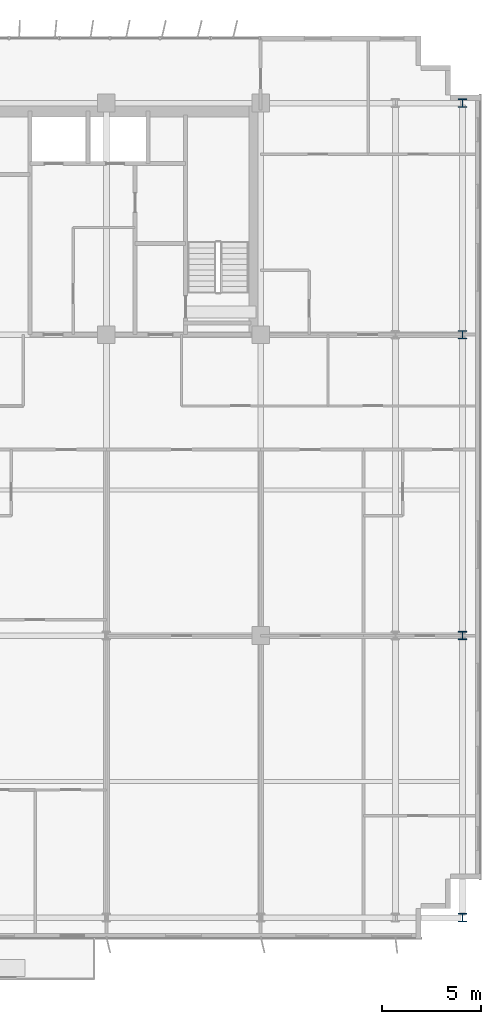
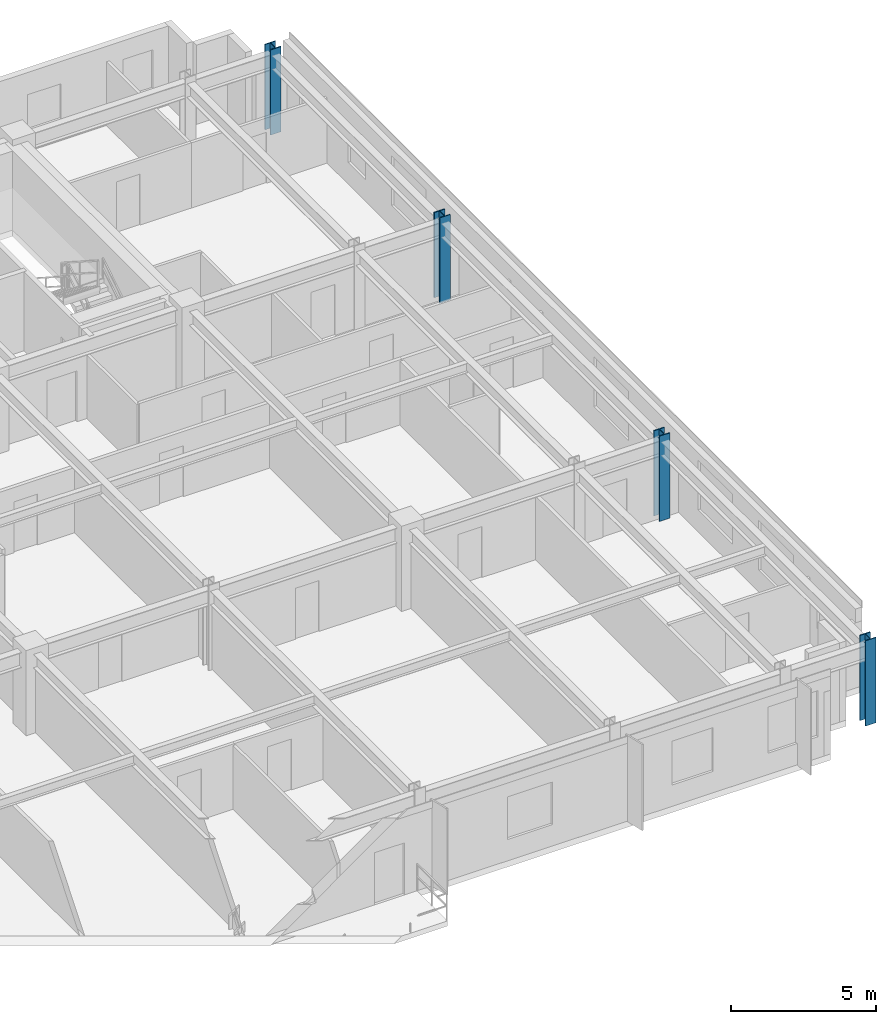
# One storey, part 3 of 22: 4 columns.
"""IFC4 building model written with IfcOpenShell, lengths in metres."""

import ifcopenshell
import ifcopenshell.guid

model = None  # the IFC model being written
_history = None  # IfcOwnerHistory: only IFC2X3 demands one
_inside = {}  # id of a spatial element -> (the spatial element, [elements in it])
_under = {}  # id of a project, library or spatial element -> (it, [spatial elements below it])
_declared = {}  # id of a project -> (the project, [libraries it declares])
_typed = {}  # id of a type object -> (the type object, [elements of that type])
_made_of = {}  # id of a material, layer set ... -> (it, [elements and type objects made of it])


def new_model(schema):
    """Start an empty IFC model of exactly this schema.

    Asked for "IFC4X3", IfcOpenShell would pick the latest addendum, in which some entities
    have other attributes; the version numbers below select the first issue.
    IFC2X3 requires an IfcOwnerHistory on every rooted entity: one is made here for all.
    """
    global model, _history
    if schema == "IFC4X3":
        model = ifcopenshell.file(schema_version=(4, 3, 0, 0))
    else:
        model = ifcopenshell.file(schema=schema)
    _inside.clear()
    _under.clear()
    _declared.clear()
    _typed.clear()
    _made_of.clear()
    _history = None
    if model.schema == "IFC2X3":
        org = make("IfcOrganization", Name="unknown")
        user = make(
            "IfcPersonAndOrganization",
            ThePerson=make("IfcPerson", FamilyName="unknown"),
            TheOrganization=org,
        )
        app = make(
            "IfcApplication",
            ApplicationDeveloper=org,
            Version="unknown",
            ApplicationFullName="unknown",
            ApplicationIdentifier="unknown",
        )
        _history = make(
            "IfcOwnerHistory",
            OwningUser=user,
            OwningApplication=app,
            ChangeAction="ADDED",
            CreationDate=0,
        )
    return model


def make(cls, **values):
    """One entity of the class cls with the attributes given. An attribute that is None is left unset."""
    return model.create_entity(
        cls, **{name: value for name, value in values.items() if value is not None}
    )


def rooted(cls, **values):
    """An entity with a GlobalId (a new one), such as an element, a storey or a relation."""
    return make(cls, GlobalId=ifcopenshell.guid.new(), OwnerHistory=_history, **values)


def si_unit(unit_type, name, prefix=None):
    """IfcSIUnit, for example si_unit("LENGTHUNIT", "METRE", prefix="MILLI")."""
    return make("IfcSIUnit", UnitType=unit_type, Prefix=prefix, Name=name)


def assignment(units):
    """IfcUnitAssignment: the units of a project."""
    return None if units is None else make("IfcUnitAssignment", Units=units)


def point(xyz):
    """IfcCartesianPoint."""
    return None if xyz is None else make("IfcCartesianPoint", Coordinates=xyz)


def direction(xyz):
    """IfcDirection."""
    return None if xyz is None else make("IfcDirection", DirectionRatios=xyz)


def frame(location, z_axis=None, x_axis=None):
    """IfcAxis2Placement3D, a coordinate frame: its origin and axes. An axis left out is left unset."""
    return make(
        "IfcAxis2Placement3D",
        Location=point(location),
        Axis=direction(z_axis),
        RefDirection=direction(x_axis),
    )


def frame_2d(location, x_axis=None):
    """IfcAxis2Placement2D, a coordinate frame in the plane: its origin and x axis."""
    return make(
        "IfcAxis2Placement2D", Location=point(location), RefDirection=direction(x_axis)
    )


def origin():
    """The frame at (0, 0, 0) with its axes left unset."""
    return frame((0.0, 0.0, 0.0))


def origin_2d():
    """The frame at (0, 0) in the plane with its x axis left unset."""
    return frame_2d((0.0, 0.0))


def place(relative_to, where):
    """IfcLocalPlacement: puts the frame where relative to a parent placement (None: the world)."""
    return make(
        "IfcLocalPlacement", PlacementRelTo=relative_to, RelativePlacement=where
    )


def context(
    kind, dimensions, precision=None, world=None, true_north=None, identifier=None
):
    """IfcGeometricRepresentationContext, for example the 3D "Model" context."""
    return make(
        "IfcGeometricRepresentationContext",
        ContextIdentifier=identifier,
        ContextType=kind,
        CoordinateSpaceDimension=dimensions,
        Precision=precision,
        WorldCoordinateSystem=world,
        TrueNorth=true_north,
    )


def subcontext(parent, identifier, kind, view, scale=None):
    """IfcGeometricRepresentationSubContext, for example "Body" below "Model"."""
    return make(
        "IfcGeometricRepresentationSubContext",
        ContextIdentifier=identifier,
        ContextType=kind,
        ParentContext=parent,
        TargetScale=scale,
        TargetView=view,
    )


def project(units=None, contexts=None):
    """IfcProject with its units and contexts."""
    return rooted(
        "IfcProject",
        Name="project",
        RepresentationContexts=contexts,
        UnitsInContext=assignment(units),
    )


def spatial(cls, under=None, at=None, **own):
    """A site, building, storey or space (cls), placed at a placement, below another one or the project."""
    s = rooted(cls, ObjectPlacement=at, **own)
    if under is not None:
        _under.setdefault(under.id(), (under, []))[1].append(s)
    return s


def profile(cls, at=None, kind="AREA", **sizes):
    """A parametric profile (cls). Its sizes go by their IFC names, for example OverallWidth=200.0."""
    return make(cls, ProfileType=kind, Position=at, **sizes)


def i_section(**sizes):
    """IfcIShapeProfileDef."""
    return profile("IfcIShapeProfileDef", **sizes)


def extrude(swept, where, along, depth):
    """IfcExtrudedAreaSolid: the profile swept, set in the frame where, extruded along a direction by depth."""
    return make(
        "IfcExtrudedAreaSolid",
        SweptArea=swept,
        Position=where,
        ExtrudedDirection=direction(along),
        Depth=depth,
    )


def shape(context_of_items, identifier, shape_type, items):
    """IfcShapeRepresentation: the items that make up one representation, for example the "Body"."""
    return make(
        "IfcShapeRepresentation",
        ContextOfItems=context_of_items,
        RepresentationIdentifier=identifier,
        RepresentationType=shape_type,
        Items=items,
    )


def source(mapping_origin, context_of_items, identifier, shape_type, items):
    """IfcRepresentationMap: a shape defined once, which mapped items show again and again."""
    return make(
        "IfcRepresentationMap",
        MappingOrigin=mapping_origin,
        MappedRepresentation=shape(context_of_items, identifier, shape_type, items),
    )


def transform(
    local_origin,
    x_axis=None,
    y_axis=None,
    z_axis=None,
    scale=None,
    scale2=None,
    scale3=None,
    uniform=True,
):
    """IfcCartesianTransformationOperator3D, or its non-uniform kind. x_axis, y_axis, z_axis: its Axis1, 2, 3."""
    if uniform:
        return make(
            "IfcCartesianTransformationOperator3D",
            Axis1=direction(x_axis),
            Axis2=direction(y_axis),
            LocalOrigin=point(local_origin),
            Scale=scale,
            Axis3=direction(z_axis),
        )
    return make(
        "IfcCartesianTransformationOperator3DnonUniform",
        Axis1=direction(x_axis),
        Axis2=direction(y_axis),
        LocalOrigin=point(local_origin),
        Scale=scale,
        Axis3=direction(z_axis),
        Scale2=scale2,
        Scale3=scale3,
    )


def mapped(mapping_source, mapping_target):
    """IfcMappedItem: shows the shape of a source again, moved by a transform."""
    return make(
        "IfcMappedItem", MappingSource=mapping_source, MappingTarget=mapping_target
    )


def material(Name=None, Category=None):
    """IfcMaterial."""
    return make("IfcMaterial", Name=Name, Category=Category)


def material_profile(
    of_material, cross_section, Name=None, Category=None, Priority=None
):
    """IfcMaterialProfile: a cross section and its material."""
    return make(
        "IfcMaterialProfile",
        Name=Name,
        Material=of_material,
        Profile=cross_section,
        Priority=Priority,
        Category=Category,
    )


def profile_set(profiles, Name=None, composite=None):
    """IfcMaterialProfileSet."""
    return make(
        "IfcMaterialProfileSet",
        Name=Name,
        MaterialProfiles=profiles,
        CompositeProfile=composite,
    )


def made_of(thing, what):
    """Note that an element or type object is made of a material, layer set ...; save() writes the relation."""
    if what is not None:
        _made_of.setdefault(what.id(), (what, []))[1].append(thing)
    return thing


def type_object(cls, material=None, **own):
    """A type object (cls), such as IfcWallType, which elements share."""
    return made_of(rooted(cls, **own), material)


def element(
    cls,
    number,
    at=None,
    inside=None,
    cuts=None,
    type_object=None,
    material=None,
    context=None,
    identifier="Body",
    shape_type=None,
    held_by="IfcProductDefinitionShape",
    body=None,
    shapes=None,
    **own,
):
    """One element of the class cls, such as IfcWall. Its Tag is "e" and its number.

    at: its placement. inside: the storey or other place that contains it. cuts: it is an
    opening in that element (IfcRelVoidsElement). A single representation is given by context,
    identifier, shape_type and body (its items); several are given by shapes. held_by: the class
    of the entity that holds the representations. save() writes the other relations.
    """
    e = rooted(cls, Tag="e%d" % number, ObjectPlacement=at, **own)
    if body is not None:
        shapes = [shape(context, identifier, shape_type, body)]
    if shapes is not None:
        e.Representation = make(held_by, Representations=shapes)
    if inside is not None:
        _inside.setdefault(inside.id(), (inside, []))[1].append(e)
    if cuts is not None:
        rooted(
            "IfcRelVoidsElement", RelatingBuildingElement=cuts, RelatedOpeningElement=e
        )
    if type_object is not None:
        _typed.setdefault(type_object.id(), (type_object, []))[1].append(e)
    return made_of(e, material)


def aggregate(whole, parts):
    """IfcRelAggregates: a whole, such as a stair, and the parts it consists of."""
    return rooted("IfcRelAggregates", RelatingObject=whole, RelatedObjects=parts)


def save(model, path):
    """Write the relations noted so far, then the file.

    IfcRelAggregates (storeys below a building ...), IfcRelContainedInSpatialStructure (elements
    in a storey), IfcRelDefinesByType, IfcRelAssociatesMaterial and IfcRelDeclares: one each for
    every whole, place, type object, material and project.
    """
    for whole, parts in _under.values():
        aggregate(whole, parts)
    for where, things in _inside.values():
        rooted(
            "IfcRelContainedInSpatialStructure",
            RelatedElements=things,
            RelatingStructure=where,
        )
    for kind, things in _typed.values():
        rooted("IfcRelDefinesByType", RelatedObjects=things, RelatingType=kind)
    for what, things in _made_of.values():
        rooted("IfcRelAssociatesMaterial", RelatedObjects=things, RelatingMaterial=what)
    for by, libraries in _declared.values():
        rooted("IfcRelDeclares", RelatingContext=by, RelatedDefinitions=libraries)
    model.write(path)


model = new_model("IFC4")

# Units and contexts
model_context = context("Model", 3, precision=1e-05, world=origin(), true_north=direction((0.0, 1.0)))
body_context = subcontext(model_context, "Body", "Model", "MODEL_VIEW")
ifc_project = project(units=[si_unit("LENGTHUNIT", "METRE"), si_unit("AREAUNIT", "SQUARE_METRE"), si_unit("VOLUMEUNIT", "CUBIC_METRE"), si_unit("PLANEANGLEUNIT", "RADIAN"), si_unit("MASSUNIT", "GRAM", prefix="KILO")], contexts=[model_context])

# Site, building, storey
site_placement = place(None, origin())
site = spatial("IfcSite", under=ifc_project, at=site_placement, CompositionType="ELEMENT")
building_placement = place(site_placement, origin())
building = spatial("IfcBuilding", under=site, at=building_placement, Name="Trelvane Seafront Commons", CompositionType="ELEMENT")
storey_placement = place(building_placement, frame((0.0, 0.0, 52.300048828125)))
storey = spatial("IfcBuildingStorey", under=building, at=storey_placement, Name="L13", CompositionType="ELEMENT", Elevation=52.300048828125)

# Columns
ifc_material = material(Name="Steel SM355 (S355)", Category="steel")
ifc_material_profile = material_profile(ifc_material, i_section(OverallWidth=0.419921875, OverallDepth=0.419921875, WebThickness=0.02587890625, FlangeThickness=0.0400390625, at=origin_2d()), Name="HD-420x420x26x40")
ifc_profile_set = profile_set([ifc_material_profile], Name="Steel SM355 (S355)")
column_type = type_object("IfcColumnType", Name="STR-COL-HD420", PredefinedType="COLUMN", material=ifc_profile_set)
shared_shape = source(origin(), body_context, "Body", "SweptSolid", [
    extrude(i_section(OverallWidth=0.419921875, OverallDepth=0.419921875, WebThickness=0.02587890625, FlangeThickness=0.0400390625, at=origin_2d()), origin(), (0.0, 0.0, 1.0), 3.599853515625),
])
for number, where, z_axis, x_axis, name in (
    (1, (69.0, 3.949951171875, 0.0), (0.0, 0.0, 1.0), (1.0, 0.0, 0.0), "L13 Column TC-S69.0"),
    (2, (69.0, 18.199951171875, 0.0), (0.0, 0.0, 1.0), (1.0, 0.0, 0.0), "L13 Column TC-M69.0"),
    (3, (69.0, 33.39990234375, 0.0), (0.0, 0.0, 1.0), (1.0, 0.0, 0.0), "L13 Column TC-CS69.0"),
    (4, (69.0, 45.10009765625, 0.0), (0.0, 0.0, 1.0), (1.0, 0.0, 0.0), "L13 Column TC-CN69.0"),
):
    element("IfcColumn", number, at=place(storey_placement, frame(where, z_axis=z_axis, x_axis=x_axis)), inside=storey, type_object=column_type, Name=name, PredefinedType="COLUMN", context=body_context, shape_type="MappedRepresentation", body=[
        mapped(shared_shape, transform((0.0, 0.0, 0.0), x_axis=(1.0, 0.0, 0.0), y_axis=(0.0, 1.0, 0.0), z_axis=(0.0, 0.0, 1.0), scale=1.0)),
    ])

save(model, "model.ifc")
